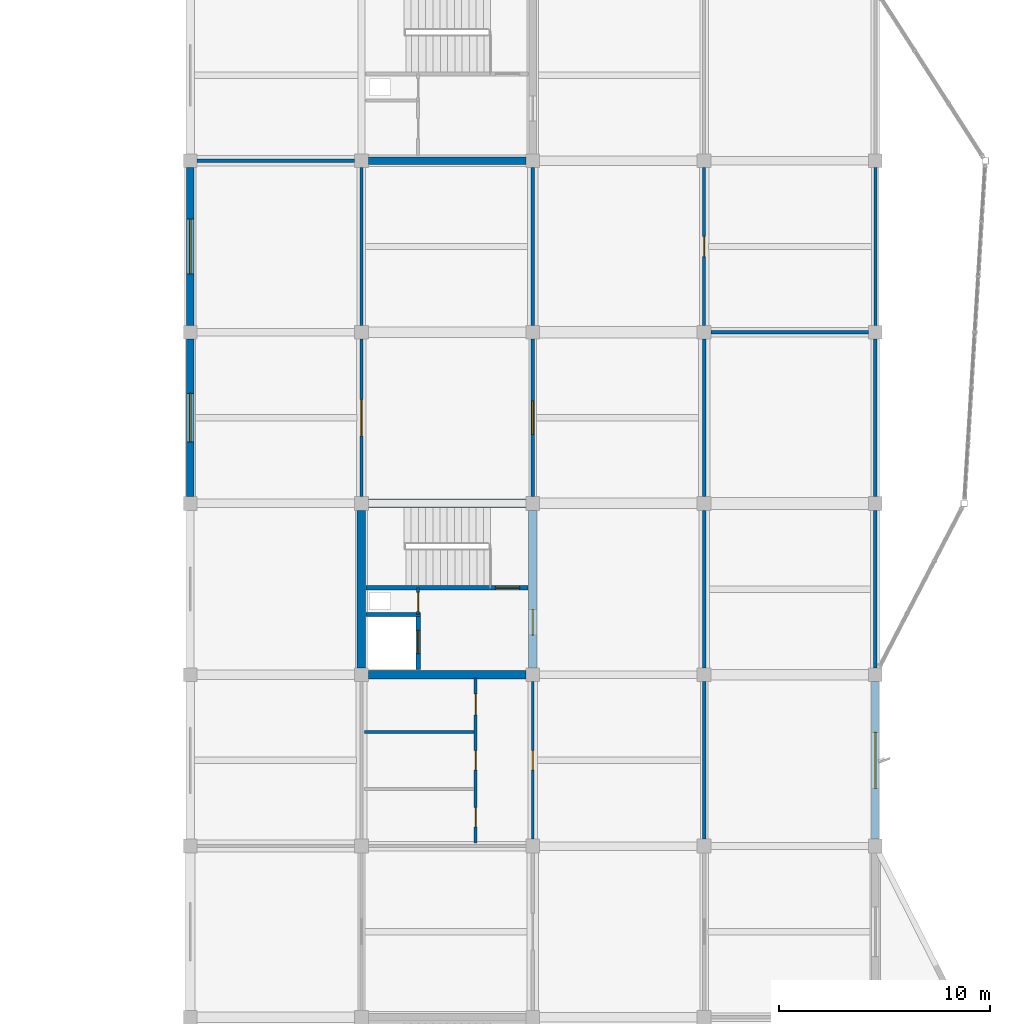
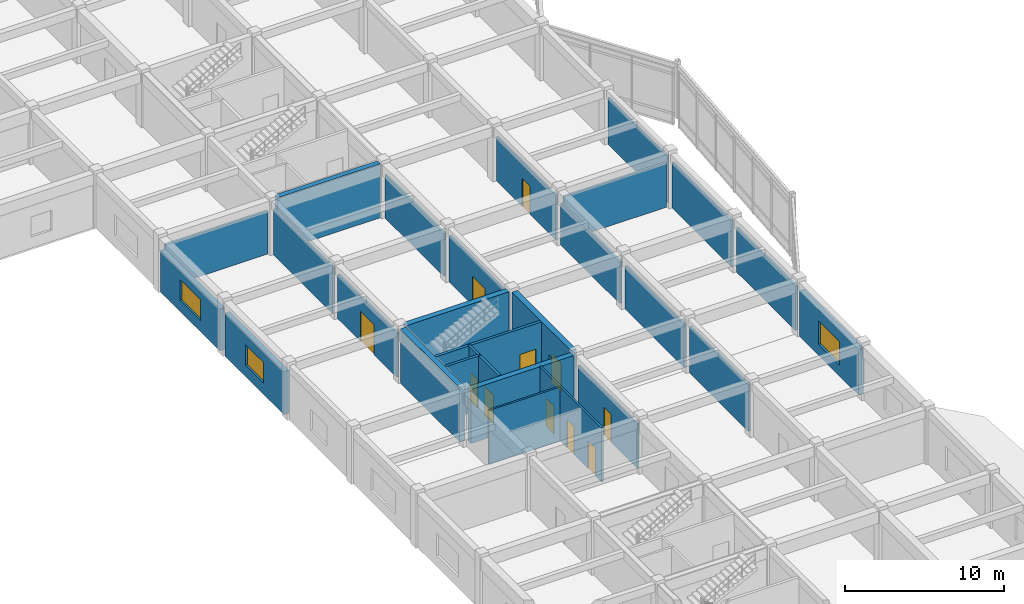
# One storey, part 33 of 42: 28 walls, 11 doors, 3 windows, 14 openings.
"""IFC4 building model written with IfcOpenShell, lengths in metres."""

from ifc_helpers import new_model, si_unit, direction, frame, frame_2d, origin, place, context, subcontext, project, spatial, rectangle, extrude, material, layer, layer_set, type_object, element, fill, save


model = new_model("IFC4")

# Units and contexts
model_context = context("Model", 3, precision=1e-05, world=origin(), true_north=direction((0.0, 1.0)))
body_context = subcontext(model_context, "Body", "Model", "MODEL_VIEW")
ifc_project = project(units=[si_unit("LENGTHUNIT", "METRE"), si_unit("AREAUNIT", "SQUARE_METRE"), si_unit("VOLUMEUNIT", "CUBIC_METRE"), si_unit("PLANEANGLEUNIT", "RADIAN"), si_unit("MASSUNIT", "GRAM", prefix="KILO")], contexts=[model_context])

# Site, building, storey
site_placement = place(None, origin())
site = spatial("IfcSite", under=ifc_project, at=site_placement, CompositionType="ELEMENT")
building_placement = place(site_placement, origin())
building = spatial("IfcBuilding", under=site, at=building_placement, Name="Vaudrelin Polytechnic", CompositionType="ELEMENT")
storey_placement = place(building_placement, frame((0.0, 0.0, 18.530029296875)))
storey = spatial("IfcBuildingStorey", under=building, at=storey_placement, Name="L04", CompositionType="ELEMENT", Elevation=18.530029296875)

# Wall, opening, window
ifc_material_1 = material(Name="Precast concrete 35 MPa with terracotta baguette screen", Category="masonry")
ifc_layer_1 = layer(ifc_material_1, 0.35009765625)
ifc_layer_set_1 = layer_set([ifc_layer_1], Name="Precast concrete 35 MPa with terracotta baguette screen")
wall_type_1 = type_object("IfcWallType", Name="WAL-EW-TERR350", PredefinedType="STANDARD", material=ifc_layer_set_1)
wall_1_placement = place(storey_placement, frame((170.10009765625, 57.02294921875, 0.0), z_axis=(0.0, 0.0, 1.0), x_axis=(0.0, 1.0, 0.0)))
wall_1 = element("IfcWall", 1, at=wall_1_placement, inside=storey, type_object=wall_type_1, Name="Exterior wall L04 E_V4_05", PredefinedType="STANDARD", context=body_context, shape_type="SweptSolid", body=[
    extrude(rectangle(XDim=7.4541015625, YDim=0.35009765625, at=frame_2d((3.72705078125, 0.0))), origin(), (0.0, 0.0, 1.0), 3.511962890625),
])
opening_1_placement = place(wall_1_placement, frame((2.402099609375, 0.0, 0.85009765625)))
opening_1 = element("IfcOpeningElement", 2, at=opening_1_placement, cuts=wall_1, Name="Opening W-L04-E-V4-06", PredefinedType="OPENING", context=body_context, shape_type="SweptSolid", body=[
    extrude(rectangle(XDim=2.64990234375, YDim=1.800048828125, at=frame_2d((1.324951171875, 0.89990234375))), frame((0.0, 0.18505859375, 0.0), z_axis=(0.0, -1.0, 0.0), x_axis=(1.0, 0.0, 0.0)), (0.0, 0.0, 1.0), 0.3701171875),
])
ifc_material_2 = material(Name="Thermally broken aluminium frame with triple low-e glazing", Category="aluminium")
window_type_1 = type_object("IfcWindowType", Name="WIN-WN-32", PartitioningType="SINGLE_PANEL", PredefinedType="WINDOW", material=ifc_material_2)
window_1_placement = place(opening_1_placement, origin())
window_1 = element("IfcWindow", 3, at=window_1_placement, inside=storey, type_object=window_type_1, Name="Facade window L04-E_V4_05", OverallHeight=1.800048828125, OverallWidth=2.64990234375, PartitioningType="SINGLE_PANEL", PredefinedType="WINDOW", context=body_context, shape_type="SweptSolid", body=[
    extrude(rectangle(XDim=2.64990234375, YDim=1.800048828125, at=frame_2d((1.324951171875, 0.89990234375))), frame((0.0, 0.030029296875, 0.0), z_axis=(0.0, -1.0, 0.0), x_axis=(1.0, 0.0, 0.0)), (0.0, 0.0, 1.0), 0.06005859375),
])
fill(opening_1, window_1)

wall_2_placement = place(storey_placement, frame((137.699951171875, 73.222900390625, 0.0), z_axis=(0.0, 0.0, 1.0), x_axis=(0.0, 1.0, 0.0)))
wall_2 = element("IfcWall", 4, at=wall_2_placement, inside=storey, type_object=wall_type_1, Name="Exterior wall L04 W_V4_07", PredefinedType="STANDARD", context=body_context, shape_type="SweptSolid", body=[
    extrude(rectangle(XDim=7.4541015625, YDim=0.35009765625, at=frame_2d((3.72705078125, 0.0))), origin(), (0.0, 0.0, 1.0), 3.31201171875),
])
opening_2_placement = place(wall_2_placement, frame((2.576904296875, 0.0, 0.85009765625)))
opening_2 = element("IfcOpeningElement", 5, at=opening_2_placement, cuts=wall_2, Name="Opening W-L04-W-V4-08", PredefinedType="OPENING", context=body_context, shape_type="SweptSolid", body=[
    extrude(rectangle(XDim=2.300048828125, YDim=1.60009765625, at=frame_2d((1.14990234375, 0.800048828125))), frame((0.0, 0.18505859375, 0.0), z_axis=(0.0, -1.0, 0.0), x_axis=(1.0, 0.0, 0.0)), (0.0, 0.0, 1.0), 0.3701171875),
])
window_type_2 = type_object("IfcWindowType", Name="WIN-WN-44", PartitioningType="SINGLE_PANEL", PredefinedType="WINDOW", material=ifc_material_2)
window_2_placement = place(opening_2_placement, origin())
window_2 = element("IfcWindow", 6, at=window_2_placement, inside=storey, type_object=window_type_2, Name="Facade window L04-W_V4_07", OverallHeight=1.60009765625, OverallWidth=2.300048828125, PartitioningType="SINGLE_PANEL", PredefinedType="WINDOW", context=body_context, shape_type="SweptSolid", body=[
    extrude(rectangle(XDim=2.300048828125, YDim=1.60009765625, at=frame_2d((1.14990234375, 0.800048828125))), frame((0.0, 0.030029296875, 0.0), z_axis=(0.0, -1.0, 0.0), x_axis=(1.0, 0.0, 0.0)), (0.0, 0.0, 1.0), 0.06005859375),
])
fill(opening_2, window_2)

wall_3_placement = place(storey_placement, frame((137.699951171875, 81.322998046875, 0.0), z_axis=(0.0, 0.0, 1.0), x_axis=(0.0, 1.0, 0.0)))
wall_3 = element("IfcWall", 7, at=wall_3_placement, inside=storey, type_object=wall_type_1, Name="Exterior wall L04 W_V4_08", PredefinedType="STANDARD", context=body_context, shape_type="SweptSolid", body=[
    extrude(rectangle(XDim=7.4541015625, YDim=0.35009765625, at=frame_2d((3.72705078125, 0.0))), origin(), (0.0, 0.0, 1.0), 3.2119140625),
])
opening_3_placement = place(wall_3_placement, frame((2.427001953125, 0.0, 0.85009765625)))
opening_3 = element("IfcOpeningElement", 8, at=opening_3_placement, cuts=wall_3, Name="Opening W-L04-W-V4-09", PredefinedType="OPENING", context=body_context, shape_type="SweptSolid", body=[
    extrude(rectangle(XDim=2.60009765625, YDim=1.60009765625, at=frame_2d((1.300048828125, 0.800048828125))), frame((0.0, 0.18505859375, 0.0), z_axis=(0.0, -1.0, 0.0), x_axis=(1.0, 0.0, 0.0)), (0.0, 0.0, 1.0), 0.3701171875),
])
window_type_3 = type_object("IfcWindowType", Name="WIN-WN-45", PartitioningType="SINGLE_PANEL", PredefinedType="WINDOW", material=ifc_material_2)
window_3_placement = place(opening_3_placement, origin())
window_3 = element("IfcWindow", 9, at=window_3_placement, inside=storey, type_object=window_type_3, Name="Facade window L04-W_V4_08", OverallHeight=1.60009765625, OverallWidth=2.60009765625, PartitioningType="SINGLE_PANEL", PredefinedType="WINDOW", context=body_context, shape_type="SweptSolid", body=[
    extrude(rectangle(XDim=2.60009765625, YDim=1.60009765625, at=frame_2d((1.300048828125, 0.800048828125))), frame((0.0, 0.030029296875, 0.0), z_axis=(0.0, -1.0, 0.0), x_axis=(1.0, 0.0, 0.0)), (0.0, 0.0, 1.0), 0.06005859375),
])
fill(opening_3, window_3)

# Wall, opening, door
ifc_material_3 = material(Name="Fire-rated steel-stud gypsum compartment wall", Category="steel")
ifc_layer_2 = layer(ifc_material_3, 0.14990234375)
ifc_layer_set_2 = layer_set([ifc_layer_2], Name="Fire-rated steel-stud gypsum compartment wall")
wall_type_2 = type_object("IfcWallType", Name="WAL-PW-FIRE60", PredefinedType="PARTITIONING", material=ifc_layer_set_2)
wall_4_placement = place(storey_placement, frame((148.47998046875, 67.64990234375, 0.0), z_axis=(0.0, 0.0, 1.0), x_axis=(0.0, 1.0, 0.0)))
wall_4 = element("IfcWall", 10, at=wall_4_placement, inside=storey, type_object=wall_type_2, Name="Core C7 riser enclosure wall L04", PredefinedType="PARTITIONING", context=body_context, shape_type="SweptSolid", body=[
    extrude(rectangle(XDim=1.260009765625, YDim=0.14990234375, at=frame_2d((0.6298828125, 0.0))), origin(), (0.0, 0.0, 1.0), 4.161865234375),
])
opening_4_placement = place(wall_4_placement, frame((0.139892578125, 0.0, 0.0)))
opening_4 = element("IfcOpeningElement", 11, at=opening_4_placement, cuts=wall_4, Name="Opening D-L04-128", PredefinedType="OPENING", context=body_context, shape_type="SweptSolid", body=[
    extrude(rectangle(XDim=0.89990234375, YDim=2.14990234375, at=frame_2d((0.449951171875, 1.074951171875))), frame((0.0, 0.0849609375, 0.0), z_axis=(0.0, -1.0, 0.0), x_axis=(1.0, 0.0, 0.0)), (0.0, 0.0, 1.0), 0.169921875),
])
ifc_material_4 = material(Name="Pressed galvanised steel acoustic leaf", Category="steel")
door_type_1 = type_object("IfcDoorType", Name="DOR-ID-RSR1", OperationType="NOTDEFINED", PredefinedType="DOOR", material=ifc_material_4)
door_1_placement = place(opening_4_placement, origin())
door_1 = element("IfcDoor", 12, at=door_1_placement, inside=storey, type_object=door_type_1, Name="Core C7 riser access door L04", OperationType="SINGLE_SWING_RIGHT", OverallHeight=2.14990234375, OverallWidth=0.89990234375, PredefinedType="DOOR", context=body_context, shape_type="SweptSolid", body=[
    extrude(rectangle(XDim=0.89990234375, YDim=2.14990234375, at=frame_2d((0.449951171875, 1.074951171875))), frame((0.0, 0.02490234375, 0.0), z_axis=(0.0, -1.0, 0.0), x_axis=(1.0, 0.0, 0.0)), (0.0, 0.0, 1.0), 0.050048828125),
])
fill(opening_4, door_1)

ifc_material_5 = material(Name="Moisture- and chemical-resistant laboratory partition", Category="gypsum")
ifc_layer_3 = layer(ifc_material_5, 0.159912109375)
ifc_layer_set_3 = layer_set([ifc_layer_3], Name="Moisture- and chemical-resistant laboratory partition")
wall_type_3 = type_object("IfcWallType", Name="WAL-PW-LAB160", PredefinedType="PARTITIONING", material=ifc_layer_set_3)
wall_5_placement = place(storey_placement, frame((145.800048828125, 73.222900390625, 0.0), z_axis=(0.0, 0.0, 1.0), x_axis=(0.0, 1.0, 0.0)))
wall_5 = element("IfcWall", 13, at=wall_5_placement, inside=storey, type_object=wall_type_3, Name="Partition L04-010 E", PredefinedType="PARTITIONING", context=body_context, shape_type="SweptSolid", body=[
    extrude(rectangle(XDim=7.4541015625, YDim=0.159912109375, at=frame_2d((3.72705078125, 0.0))), origin(), (0.0, 0.0, 1.0), 3.411865234375),
])
opening_5_placement = place(wall_5_placement, frame((2.866943359375, 0.0, 0.0)))
opening_5 = element("IfcOpeningElement", 14, at=opening_5_placement, cuts=wall_5, Name="Opening D-L04-525", PredefinedType="OPENING", context=body_context, shape_type="SweptSolid", body=[
    extrude(rectangle(XDim=1.719970703125, YDim=2.300048828125, at=frame_2d((0.85986328125, 1.14990234375))), frame((0.0, 0.08984375, 0.0), z_axis=(0.0, -1.0, 0.0), x_axis=(1.0, 0.0, 0.0)), (0.0, 0.0, 1.0), 0.179931640625),
])
door_type_2 = type_object("IfcDoorType", Name="DOR-ID-LAB5", OperationType="NOTDEFINED", PredefinedType="DOOR", material=ifc_material_4)
door_2_placement = place(opening_5_placement, origin())
door_2 = element("IfcDoor", 15, at=door_2_placement, inside=storey, type_object=door_type_2, Name="Bioprocess Engineering Laboratory door L04-010", OperationType="DOUBLE_SWING_LEFT", OverallHeight=2.300048828125, OverallWidth=1.719970703125, PredefinedType="DOOR", context=body_context, shape_type="SweptSolid", body=[
    extrude(rectangle(XDim=1.719970703125, YDim=2.300048828125, at=frame_2d((0.85986328125, 1.14990234375))), frame((0.0, 0.02490234375, 0.0), z_axis=(0.0, -1.0, 0.0), x_axis=(1.0, 0.0, 0.0)), (0.0, 0.0, 1.0), 0.050048828125),
])
fill(opening_5, door_2)

# Walls
wall_6_placement = place(storey_placement, frame((145.800048828125, 81.322998046875, 0.0), z_axis=(0.0, 0.0, 1.0), x_axis=(0.0, 1.0, 0.0)))
element("IfcWall", 16, at=wall_6_placement, inside=storey, type_object=wall_type_3, Name="Partition L04-010 E", PredefinedType="PARTITIONING", context=body_context, shape_type="SweptSolid", body=[
    extrude(rectangle(XDim=7.4541015625, YDim=0.159912109375, at=frame_2d((3.72705078125, 0.0))), origin(), (0.0, 0.0, 1.0), 3.511962890625),
])
wall_7_placement = place(storey_placement, frame((138.02294921875, 89.10009765625, 0.0), z_axis=(0.0, 0.0, 1.0), x_axis=(1.0, 0.0, 0.0)))
element("IfcWall", 17, at=wall_7_placement, inside=storey, type_object=wall_type_3, Name="Partition L04-010 N", PredefinedType="PARTITIONING", context=body_context, shape_type="SweptSolid", body=[
    extrude(rectangle(XDim=7.4541015625, YDim=0.159912109375, at=frame_2d((3.72705078125, 0.0))), origin(), (0.0, 0.0, 1.0), 3.31201171875),
])

# Wall, opening, door
wall_8_placement = place(storey_placement, frame((153.89990234375, 73.222900390625, 0.0), z_axis=(0.0, 0.0, 1.0), x_axis=(0.0, 1.0, 0.0)))
wall_8 = element("IfcWall", 18, at=wall_8_placement, inside=storey, type_object=wall_type_3, Name="Partition L04-011 E", PredefinedType="PARTITIONING", context=body_context, shape_type="SweptSolid", body=[
    extrude(rectangle(XDim=7.4541015625, YDim=0.159912109375, at=frame_2d((3.72705078125, 0.0))), origin(), (0.0, 0.0, 1.0), 3.56201171875),
])
opening_6_placement = place(wall_8_placement, frame((2.93701171875, 0.0, 0.0)))
opening_6 = element("IfcOpeningElement", 19, at=opening_6_placement, cuts=wall_8, Name="Opening D-L04-526", PredefinedType="OPENING", context=body_context, shape_type="SweptSolid", body=[
    extrude(rectangle(XDim=1.580078125, YDim=2.199951171875, at=frame_2d((0.7900390625, 1.10009765625))), frame((0.0, 0.08984375, 0.0), z_axis=(0.0, -1.0, 0.0), x_axis=(1.0, 0.0, 0.0)), (0.0, 0.0, 1.0), 0.179931640625),
])
door_type_3 = type_object("IfcDoorType", Name="DOR-ID-LAB3", OperationType="NOTDEFINED", PredefinedType="DOOR", material=ifc_material_4)
door_3_placement = place(opening_6_placement, origin())
door_3 = element("IfcDoor", 20, at=door_3_placement, inside=storey, type_object=door_type_3, Name="Fermentation Instrumentation Laboratory door L04-011", OperationType="DOUBLE_SWING_LEFT", OverallHeight=2.199951171875, OverallWidth=1.580078125, PredefinedType="DOOR", context=body_context, shape_type="SweptSolid", body=[
    extrude(rectangle(XDim=1.580078125, YDim=2.199951171875, at=frame_2d((0.7900390625, 1.10009765625))), frame((0.0, 0.02490234375, 0.0), z_axis=(0.0, -1.0, 0.0), x_axis=(1.0, 0.0, 0.0)), (0.0, 0.0, 1.0), 0.050048828125),
])
fill(opening_6, door_3)

# Walls
wall_9_placement = place(storey_placement, frame((153.89990234375, 81.322998046875, 0.0), z_axis=(0.0, 0.0, 1.0), x_axis=(0.0, 1.0, 0.0)))
element("IfcWall", 21, at=wall_9_placement, inside=storey, type_object=wall_type_3, Name="Partition L04-011 E", PredefinedType="PARTITIONING", context=body_context, shape_type="SweptSolid", body=[
    extrude(rectangle(XDim=7.4541015625, YDim=0.159912109375, at=frame_2d((3.72705078125, 0.0))), origin(), (0.0, 0.0, 1.0), 3.31201171875),
])
wall_10_placement = place(storey_placement, frame((162.0, 57.02294921875, 0.0), z_axis=(0.0, 0.0, 1.0), x_axis=(0.0, 1.0, 0.0)))
element("IfcWall", 22, at=wall_10_placement, inside=storey, type_object=wall_type_3, Name="Partition L04-016 W", PredefinedType="PARTITIONING", context=body_context, shape_type="SweptSolid", body=[
    extrude(rectangle(XDim=7.4541015625, YDim=0.159912109375, at=frame_2d((3.72705078125, 0.0))), origin(), (0.0, 0.0, 1.0), 3.56201171875),
])
wall_11_placement = place(storey_placement, frame((162.0, 65.123046875, 0.0), z_axis=(0.0, 0.0, 1.0), x_axis=(0.0, 1.0, 0.0)))
element("IfcWall", 23, at=wall_11_placement, inside=storey, type_object=wall_type_3, Name="Partition L04-016 W", PredefinedType="PARTITIONING", context=body_context, shape_type="SweptSolid", body=[
    extrude(rectangle(XDim=7.453857421875, YDim=0.159912109375, at=frame_2d((3.72705078125, 0.0))), origin(), (0.0, 0.0, 1.0), 3.31201171875),
])
wall_12_placement = place(storey_placement, frame((162.0, 73.222900390625, 0.0), z_axis=(0.0, 0.0, 1.0), x_axis=(0.0, 1.0, 0.0)))
element("IfcWall", 24, at=wall_12_placement, inside=storey, type_object=wall_type_3, Name="Partition L04-016 W", PredefinedType="PARTITIONING", context=body_context, shape_type="SweptSolid", body=[
    extrude(rectangle(XDim=7.4541015625, YDim=0.159912109375, at=frame_2d((3.72705078125, 0.0))), origin(), (0.0, 0.0, 1.0), 3.2119140625),
])
wall_13_placement = place(storey_placement, frame((162.322998046875, 81.0, 0.0), z_axis=(0.0, 0.0, 1.0), x_axis=(1.0, 0.0, 0.0)))
element("IfcWall", 25, at=wall_13_placement, inside=storey, type_object=wall_type_3, Name="Partition L04-016 N", PredefinedType="PARTITIONING", context=body_context, shape_type="SweptSolid", body=[
    extrude(rectangle(XDim=7.4541015625, YDim=0.159912109375, at=frame_2d((3.72705078125, 0.0))), origin(), (0.0, 0.0, 1.0), 3.411865234375),
])
wall_14_placement = place(storey_placement, frame((170.10009765625, 65.123046875, 0.0), z_axis=(0.0, 0.0, 1.0), x_axis=(0.0, 1.0, 0.0)))
element("IfcWall", 26, at=wall_14_placement, inside=storey, type_object=wall_type_3, Name="Partition L04-016 E", PredefinedType="PARTITIONING", context=body_context, shape_type="SweptSolid", body=[
    extrude(rectangle(XDim=7.453857421875, YDim=0.159912109375, at=frame_2d((3.72705078125, 0.0))), origin(), (0.0, 0.0, 1.0), 3.411865234375),
])
wall_15_placement = place(storey_placement, frame((170.10009765625, 73.222900390625, 0.0), z_axis=(0.0, 0.0, 1.0), x_axis=(0.0, 1.0, 0.0)))
element("IfcWall", 27, at=wall_15_placement, inside=storey, type_object=wall_type_3, Name="Partition L04-016 E", PredefinedType="PARTITIONING", context=body_context, shape_type="SweptSolid", body=[
    extrude(rectangle(XDim=7.4541015625, YDim=0.159912109375, at=frame_2d((3.72705078125, 0.0))), origin(), (0.0, 0.0, 1.0), 3.511962890625),
])

# Wall, opening, door
ifc_material_6 = material(Name="Acoustic steel-stud office & study room partition", Category="steel")
ifc_layer_4 = layer(ifc_material_6, 0.135009765625)
ifc_layer_set_4 = layer_set([ifc_layer_4], Name="Acoustic steel-stud office & study room partition")
wall_type_4 = type_object("IfcWallType", Name="WAL-PW-OFF135", PredefinedType="PARTITIONING", material=ifc_layer_set_4)
wall_16_placement = place(storey_placement, frame((162.0, 81.322998046875, 0.0), z_axis=(0.0, 0.0, 1.0), x_axis=(0.0, 1.0, 0.0)))
wall_16 = element("IfcWall", 28, at=wall_16_placement, inside=storey, type_object=wall_type_4, Name="Partition L04-017 W", PredefinedType="PARTITIONING", context=body_context, shape_type="SweptSolid", body=[
    extrude(rectangle(XDim=7.4541015625, YDim=0.135009765625, at=frame_2d((3.72705078125, 0.0))), origin(), (0.0, 0.0, 1.0), 3.411865234375),
])
opening_7_placement = place(wall_16_placement, frame((3.2470703125, 0.0, 0.0)))
opening_7 = element("IfcOpeningElement", 29, at=opening_7_placement, cuts=wall_16, Name="Opening D-L04-531", PredefinedType="OPENING", context=body_context, shape_type="SweptSolid", body=[
    extrude(rectangle(XDim=0.9599609375, YDim=2.14990234375, at=frame_2d((0.47998046875, 1.074951171875))), frame((0.0, 0.07763671875, 0.0), z_axis=(0.0, -1.0, 0.0), x_axis=(1.0, 0.0, 0.0)), (0.0, 0.0, 1.0), 0.155029296875),
])
ifc_material_7 = material(Name="Solid-core birch veneer acoustic leaf", Category="wood")
door_type_4 = type_object("IfcDoorType", Name="DOR-ID-OFF2", OperationType="NOTDEFINED", PredefinedType="DOOR", material=ifc_material_7)
door_4_placement = place(opening_7_placement, origin())
door_4 = element("IfcDoor", 30, at=door_4_placement, inside=storey, type_object=door_type_4, Name="Academic Faculty Offices Level 4 door L04-017", OperationType="SINGLE_SWING_RIGHT", OverallHeight=2.14990234375, OverallWidth=0.9599609375, PredefinedType="DOOR", context=body_context, shape_type="SweptSolid", body=[
    extrude(rectangle(XDim=0.9599609375, YDim=2.14990234375, at=frame_2d((0.47998046875, 1.074951171875))), frame((0.0, 0.02490234375, 0.0), z_axis=(0.0, -1.0, 0.0), x_axis=(1.0, 0.0, 0.0)), (0.0, 0.0, 1.0), 0.050048828125),
])
fill(opening_7, door_4)

# Wall
wall_17_placement = place(storey_placement, frame((170.10009765625, 81.322998046875, 0.0), z_axis=(0.0, 0.0, 1.0), x_axis=(0.0, 1.0, 0.0)))
element("IfcWall", 31, at=wall_17_placement, inside=storey, type_object=wall_type_4, Name="Partition L04-017 E", PredefinedType="PARTITIONING", context=body_context, shape_type="SweptSolid", body=[
    extrude(rectangle(XDim=7.4541015625, YDim=0.135009765625, at=frame_2d((3.72705078125, 0.0))), origin(), (0.0, 0.0, 1.0), 3.56201171875),
])

# Wall, opening, door
ifc_material_8 = material(Name="Cement-board tiled wet-wall washroom partition", Category="gypsum")
ifc_layer_5 = layer(ifc_material_8, 0.139892578125)
ifc_layer_set_5 = layer_set([ifc_layer_5], Name="Cement-board tiled wet-wall washroom partition")
wall_type_5 = type_object("IfcWallType", Name="WAL-PW-WC140", PredefinedType="PARTITIONING", material=ifc_layer_set_5)
wall_18_placement = place(storey_placement, frame((153.89990234375, 57.02294921875, 0.0), z_axis=(0.0, 0.0, 1.0), x_axis=(0.0, 1.0, 0.0)))
wall_18 = element("IfcWall", 32, at=wall_18_placement, inside=storey, type_object=wall_type_5, Name="Washroom enclosure wall L04-18-7-E", PredefinedType="PARTITIONING", context=body_context, shape_type="SweptSolid", body=[
    extrude(rectangle(XDim=7.4541015625, YDim=0.139892578125, at=frame_2d((3.72705078125, 0.0))), origin(), (0.0, 0.0, 1.0), 3.409912109375),
])
opening_8_placement = place(wall_18_placement, frame((3.26708984375, 0.0, 0.0)))
opening_8 = element("IfcOpeningElement", 33, at=opening_8_placement, cuts=wall_18, Name="Opening D-L04-373", PredefinedType="OPENING", context=body_context, shape_type="SweptSolid", body=[
    extrude(rectangle(XDim=0.919921875, YDim=2.14990234375, at=frame_2d((0.4599609375, 1.074951171875))), frame((0.0, 0.080078125, 0.0), z_axis=(0.0, -1.0, 0.0), x_axis=(1.0, 0.0, 0.0)), (0.0, 0.0, 1.0), 0.159912109375),
])
door_type_5 = type_object("IfcDoorType", Name="DOR-ID-WC1", OperationType="NOTDEFINED", PredefinedType="DOOR", material=ifc_material_7)
door_5_placement = place(opening_8_placement, origin())
door_5 = element("IfcDoor", 34, at=door_5_placement, inside=storey, type_object=door_type_5, Name="Washroom vestibule door L04-18-7-E", OperationType="SINGLE_SWING_LEFT", OverallHeight=2.14990234375, OverallWidth=0.919921875, PredefinedType="DOOR", context=body_context, shape_type="SweptSolid", body=[
    extrude(rectangle(XDim=0.919921875, YDim=2.14990234375, at=frame_2d((0.4599609375, 1.074951171875))), frame((0.0, 0.02490234375, 0.0), z_axis=(0.0, -1.0, 0.0), x_axis=(1.0, 0.0, 0.0)), (0.0, 0.0, 1.0), 0.050048828125),
])
fill(opening_8, door_5)

# Wall, openings, doors
wall_19_placement = place(storey_placement, frame((151.199951171875, 56.85009765625, 0.0), z_axis=(0.0, 0.0, 1.0), x_axis=(0.0, 1.0, 0.0)))
wall_19 = element("IfcWall", 35, at=wall_19_placement, inside=storey, type_object=wall_type_5, Name="Washroom vestibule divider L04-18-7", PredefinedType="PARTITIONING", context=body_context, shape_type="SweptSolid", body=[
    extrude(rectangle(XDim=7.7998046875, YDim=0.139892578125, at=frame_2d((3.89990234375, 0.0))), origin(), (0.0, 0.0, 1.0), 4.161865234375),
])
opening_9_placement = place(wall_19_placement, frame((0.75, 0.0, 0.0)))
opening_9 = element("IfcOpeningElement", 36, at=opening_9_placement, cuts=wall_19, Name="Opening D-L04-374", PredefinedType="OPENING", context=body_context, shape_type="SweptSolid", body=[
    extrude(rectangle(XDim=0.919921875, YDim=2.14990234375, at=frame_2d((0.4599609375, 1.074951171875))), frame((0.0, 0.080078125, 0.0), z_axis=(0.0, -1.0, 0.0), x_axis=(1.0, 0.0, 0.0)), (0.0, 0.0, 1.0), 0.159912109375),
])
opening_10_placement = place(wall_19_placement, frame((3.43994140625, 0.0, 0.0)))
opening_10 = element("IfcOpeningElement", 37, at=opening_10_placement, cuts=wall_19, Name="Opening D-L04-375", PredefinedType="OPENING", context=body_context, shape_type="SweptSolid", body=[
    extrude(rectangle(XDim=0.919921875, YDim=2.14990234375, at=frame_2d((0.4599609375, 1.074951171875))), frame((0.0, 0.080078125, 0.0), z_axis=(0.0, -1.0, 0.0), x_axis=(1.0, 0.0, 0.0)), (0.0, 0.0, 1.0), 0.159912109375),
])
opening_11_placement = place(wall_19_placement, frame((6.050048828125, 0.0, 0.0)))
opening_11 = element("IfcOpeningElement", 38, at=opening_11_placement, cuts=wall_19, Name="Opening D-L04-376", PredefinedType="OPENING", context=body_context, shape_type="SweptSolid", body=[
    extrude(rectangle(XDim=1.0, YDim=2.14990234375, at=frame_2d((0.5, 1.074951171875))), frame((0.0, 0.080078125, 0.0), z_axis=(0.0, -1.0, 0.0), x_axis=(1.0, 0.0, 0.0)), (0.0, 0.0, 1.0), 0.159912109375),
])
door_type_6 = type_object("IfcDoorType", Name="DOR-ID-AWC1", OperationType="NOTDEFINED", PredefinedType="DOOR", material=ifc_material_7)
door_6_placement = place(opening_11_placement, origin())
door_6 = element("IfcDoor", 39, at=door_6_placement, inside=storey, type_object=door_type_6, Name="Washroom stall-room door L04-18-7-3", OperationType="SINGLE_SWING_LEFT", OverallHeight=2.14990234375, OverallWidth=1.0, PredefinedType="DOOR", context=body_context, shape_type="SweptSolid", body=[
    extrude(rectangle(XDim=1.0, YDim=2.14990234375, at=frame_2d((0.5, 1.074951171875))), frame((0.0, 0.02490234375, 0.0), z_axis=(0.0, -1.0, 0.0), x_axis=(1.0, 0.0, 0.0)), (0.0, 0.0, 1.0), 0.050048828125),
])
fill(opening_11, door_6)
door_7_placement = place(opening_9_placement, origin())
door_7 = element("IfcDoor", 40, at=door_7_placement, inside=storey, type_object=door_type_5, Name="Washroom stall-room door L04-18-7-1", OperationType="SINGLE_SWING_LEFT", OverallHeight=2.14990234375, OverallWidth=0.919921875, PredefinedType="DOOR", context=body_context, shape_type="SweptSolid", body=[
    extrude(rectangle(XDim=0.919921875, YDim=2.14990234375, at=frame_2d((0.4599609375, 1.074951171875))), frame((0.0, 0.02490234375, 0.0), z_axis=(0.0, -1.0, 0.0), x_axis=(1.0, 0.0, 0.0)), (0.0, 0.0, 1.0), 0.050048828125),
])
fill(opening_9, door_7)
door_8_placement = place(opening_10_placement, origin())
door_8 = element("IfcDoor", 41, at=door_8_placement, inside=storey, type_object=door_type_5, Name="Washroom stall-room door L04-18-7-2", OperationType="SINGLE_SWING_RIGHT", OverallHeight=2.14990234375, OverallWidth=0.919921875, PredefinedType="DOOR", context=body_context, shape_type="SweptSolid", body=[
    extrude(rectangle(XDim=0.919921875, YDim=2.14990234375, at=frame_2d((0.4599609375, 1.074951171875))), frame((0.0, 0.02490234375, 0.0), z_axis=(0.0, -1.0, 0.0), x_axis=(1.0, 0.0, 0.0)), (0.0, 0.0, 1.0), 0.050048828125),
])
fill(opening_10, door_8)

# Wall
wall_20_placement = place(storey_placement, frame((145.949951171875, 62.10009765625, 0.0), z_axis=(0.0, 0.0, 1.0), x_axis=(1.0, 0.0, 0.0)))
element("IfcWall", 42, at=wall_20_placement, inside=storey, type_object=wall_type_5, Name="Washroom separation wall L04-18-7-2", PredefinedType="PARTITIONING", context=body_context, shape_type="SweptSolid", body=[
    extrude(rectangle(XDim=5.179931640625, YDim=0.139892578125, at=frame_2d((2.58984375, 0.0))), origin(), (0.0, 0.0, 1.0), 4.161865234375),
])

# Wall, opening, door
ifc_material_9 = material(Name="Concrete 40 MPa", Category="concrete")
ifc_layer_6 = layer(ifc_material_9, 0.199951171875)
ifc_layer_set_6 = layer_set([ifc_layer_6], Name="Concrete 40 MPa")
wall_type_6 = type_object("IfcWallType", Name="WAL-SW-CORE200", PredefinedType="SHEAR", material=ifc_layer_set_6)
wall_21_placement = place(storey_placement, frame((146.02001953125, 68.909912109375, 0.0), z_axis=(0.0, 0.0, 1.0), x_axis=(1.0, 0.0, 0.0)))
wall_21 = element("IfcWall", 43, at=wall_21_placement, inside=storey, type_object=wall_type_6, Name="Core C7 stair enclosure wall L04", PredefinedType="SHEAR", context=body_context, shape_type="SweptSolid", body=[
    extrude(rectangle(XDim=7.659912109375, YDim=0.199951171875, at=frame_2d((3.830078125, 0.0))), origin(), (0.0, 0.0, 1.0), 4.161865234375),
])
opening_12_placement = place(wall_21_placement, frame((6.110107421875, 0.0, 0.0)))
opening_12 = element("IfcOpeningElement", 44, at=opening_12_placement, cuts=wall_21, Name="Opening D-L04-127", PredefinedType="OPENING", context=body_context, shape_type="SweptSolid", body=[
    extrude(rectangle(XDim=1.14990234375, YDim=2.199951171875, at=frame_2d((0.574951171875, 1.10009765625))), frame((0.0, 0.10986328125, 0.0), z_axis=(0.0, -1.0, 0.0), x_axis=(1.0, 0.0, 0.0)), (0.0, 0.0, 1.0), 0.219970703125),
])
door_type_7 = type_object("IfcDoorType", Name="DOR-ID-ST1", OperationType="NOTDEFINED", PredefinedType="DOOR", material=ifc_material_4)
door_9_placement = place(opening_12_placement, origin())
door_9 = element("IfcDoor", 45, at=door_9_placement, inside=storey, type_object=door_type_7, Name="Core C7 exit stair door L04", OperationType="SINGLE_SWING_LEFT", OverallHeight=2.199951171875, OverallWidth=1.14990234375, PredefinedType="DOOR", context=body_context, shape_type="SweptSolid", body=[
    extrude(rectangle(XDim=1.14990234375, YDim=2.199951171875, at=frame_2d((0.574951171875, 1.10009765625))), frame((0.0, 0.02490234375, 0.0), z_axis=(0.0, -1.0, 0.0), x_axis=(1.0, 0.0, 0.0)), (0.0, 0.0, 1.0), 0.050048828125),
])
fill(opening_12, door_9)

wall_22_placement = place(storey_placement, frame((148.47998046875, 65.050048828125, 0.0), z_axis=(0.0, 0.0, 1.0), x_axis=(0.0, 1.0, 0.0)))
wall_22 = element("IfcWall", 46, at=wall_22_placement, inside=storey, type_object=wall_type_6, Name="Lift LF-07 shaft front wall L04", PredefinedType="SHEAR", context=body_context, shape_type="SweptSolid", body=[
    extrude(rectangle(XDim=2.599853515625, YDim=0.199951171875, at=frame_2d((1.2998046875, 0.0))), origin(), (0.0, 0.0, 1.0), 4.161865234375),
])
opening_13_placement = place(wall_22_placement, frame((0.75, 0.0, 0.0)))
opening_13 = element("IfcOpeningElement", 47, at=opening_13_placement, cuts=wall_22, Name="Opening LD-LF-07-L04", PredefinedType="OPENING", context=body_context, shape_type="SweptSolid", body=[
    extrude(rectangle(XDim=1.10009765625, YDim=2.199951171875, at=frame_2d((0.550048828125, 1.10009765625))), frame((0.0, 0.10986328125, 0.0), z_axis=(0.0, -1.0, 0.0), x_axis=(1.0, 0.0, 0.0)), (0.0, 0.0, 1.0), 0.219970703125),
])
ifc_material_10 = material(Name="Brushed stainless steel AISI 304", Category="steel")
door_type_8 = type_object("IfcDoorType", Name="DOR-LD-PAX", OperationType="SLIDING_TO_LEFT", PredefinedType="DOOR", material=ifc_material_10)
door_10_placement = place(opening_13_placement, origin())
door_10 = element("IfcDoor", 48, at=door_10_placement, inside=storey, type_object=door_type_8, Name="Lift LF-07 landing door L04", OperationType="SLIDING_TO_LEFT", OverallHeight=2.199951171875, OverallWidth=1.10009765625, PredefinedType="DOOR", context=body_context, shape_type="SweptSolid", body=[
    extrude(rectangle(XDim=1.10009765625, YDim=2.199951171875, at=frame_2d((0.550048828125, 1.10009765625))), frame((0.0, 0.02490234375, 0.0), z_axis=(0.0, -1.0, 0.0), x_axis=(1.0, 0.0, 0.0)), (0.0, 0.0, 1.0), 0.050048828125),
])
fill(opening_13, door_10)

# Walls
wall_23_placement = place(storey_placement, frame((146.02001953125, 67.64990234375, 0.0), z_axis=(0.0, 0.0, 1.0), x_axis=(1.0, 0.0, 0.0)))
element("IfcWall", 49, at=wall_23_placement, inside=storey, type_object=wall_type_6, Name="Lift LF-07 shaft north wall L04", PredefinedType="SHEAR", context=body_context, shape_type="SweptSolid", body=[
    extrude(rectangle(XDim=2.56005859375, YDim=0.199951171875, at=frame_2d((1.280029296875, 0.0))), origin(), (0.0, 0.0, 1.0), 4.161865234375),
])
ifc_material_11 = material(Name="Concrete 50 MPa", Category="concrete")
ifc_layer_7 = layer(ifc_material_11, 0.35009765625)
ifc_layer_set_7 = layer_set([ifc_layer_7], Name="Concrete 50 MPa")
wall_type_7 = type_object("IfcWallType", Name="WAL-SW-CORE350", PredefinedType="SHEAR", material=ifc_layer_set_7)
wall_24_placement = place(storey_placement, frame((146.123046875, 89.10009765625, 0.0), z_axis=(0.0, 0.0, 1.0), x_axis=(1.0, 0.0, 0.0)))
element("IfcWall", 50, at=wall_24_placement, inside=storey, type_object=wall_type_7, Name="Core C13 S shear wall L04", PredefinedType="SHEAR", context=body_context, shape_type="SweptSolid", body=[
    extrude(rectangle(XDim=7.453857421875, YDim=0.35009765625, at=frame_2d((3.72705078125, 0.0))), origin(), (0.0, 0.0, 1.0), 4.161865234375),
])
ifc_layer_8 = layer(ifc_material_11, 0.39990234375)
ifc_layer_set_8 = layer_set([ifc_layer_8], Name="Concrete 50 MPa")
wall_type_8 = type_object("IfcWallType", Name="WAL-SW-CORE400", PredefinedType="SHEAR", material=ifc_layer_set_8)
for number, where, z_axis, x_axis, name in (
    (51, (146.123046875, 72.89990234375, 0.0), (0.0, 0.0, 1.0), (1.0, 0.0, 0.0), "Core C7 N shear wall L04"),
    (52, (145.800048828125, 65.123046875, 0.0), (0.0, 0.0, 1.0), (0.0, 1.0, 0.0), "Core C7 W shear wall L04"),
):
    element("IfcWall", number, at=place(storey_placement, frame(where, z_axis=z_axis, x_axis=x_axis)), inside=storey, type_object=wall_type_8, Name=name, PredefinedType="SHEAR", context=body_context, shape_type="SweptSolid", body=[
        extrude(rectangle(XDim=7.453857421875, YDim=0.39990234375, at=frame_2d((3.72705078125, 0.0))), origin(), (0.0, 0.0, 1.0), 4.161865234375),
    ])

# Wall, opening, door
wall_25_placement = place(storey_placement, frame((153.89990234375, 65.123046875, 0.0), z_axis=(0.0, 0.0, 1.0), x_axis=(0.0, 1.0, 0.0)))
wall_25 = element("IfcWall", 53, at=wall_25_placement, inside=storey, type_object=wall_type_8, Name="Core C7 E shear wall L04", PredefinedType="SHEAR", context=body_context, shape_type="SweptSolid", body=[
    extrude(rectangle(XDim=7.453857421875, YDim=0.39990234375, at=frame_2d((3.72705078125, 0.0))), origin(), (0.0, 0.0, 1.0), 4.161865234375),
])
opening_14_placement = place(wall_25_placement, frame((1.550048828125, 0.0, 0.0)))
opening_14 = element("IfcOpeningElement", 54, at=opening_14_placement, cuts=wall_25, Name="Opening D-L04-126", PredefinedType="OPENING", context=body_context, shape_type="SweptSolid", body=[
    extrude(rectangle(XDim=1.199951171875, YDim=2.199951171875, at=frame_2d((0.60009765625, 1.10009765625))), frame((0.0, 0.2099609375, 0.0), z_axis=(0.0, -1.0, 0.0), x_axis=(1.0, 0.0, 0.0)), (0.0, 0.0, 1.0), 0.419921875),
])
door_type_9 = type_object("IfcDoorType", Name="DOR-ID-LB1", OperationType="NOTDEFINED", PredefinedType="DOOR", material=ifc_material_4)
door_11_placement = place(opening_14_placement, origin())
door_11 = element("IfcDoor", 55, at=door_11_placement, inside=storey, type_object=door_type_9, Name="Core C7 lobby fire door L04", OperationType="SINGLE_SWING_RIGHT", OverallHeight=2.199951171875, OverallWidth=1.199951171875, PredefinedType="DOOR", context=body_context, shape_type="SweptSolid", body=[
    extrude(rectangle(XDim=1.199951171875, YDim=2.199951171875, at=frame_2d((0.60009765625, 1.10009765625))), frame((0.0, 0.02490234375, 0.0), z_axis=(0.0, -1.0, 0.0), x_axis=(1.0, 0.0, 0.0)), (0.0, 0.0, 1.0), 0.050048828125),
])
fill(opening_14, door_11)

# Wall
wall_26_placement = place(storey_placement, frame((146.123046875, 64.800048828125, 0.0), z_axis=(0.0, 0.0, 1.0), x_axis=(1.0, 0.0, 0.0)))
element("IfcWall", 56, at=wall_26_placement, inside=storey, type_object=wall_type_8, Name="Core C7 S shear wall L04", PredefinedType="SHEAR", context=body_context, shape_type="SweptSolid", body=[
    extrude(rectangle(XDim=7.453857421875, YDim=0.39990234375, at=frame_2d((3.72705078125, 0.0))), origin(), (0.0, 0.0, 1.0), 4.161865234375),
])

save(model, "model.ifc")
